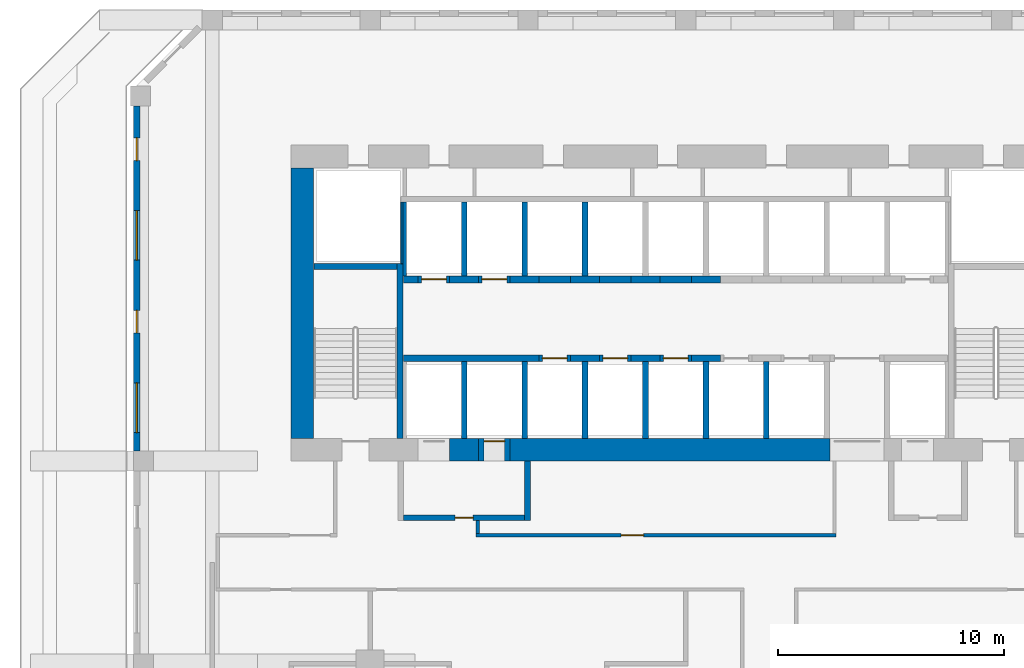
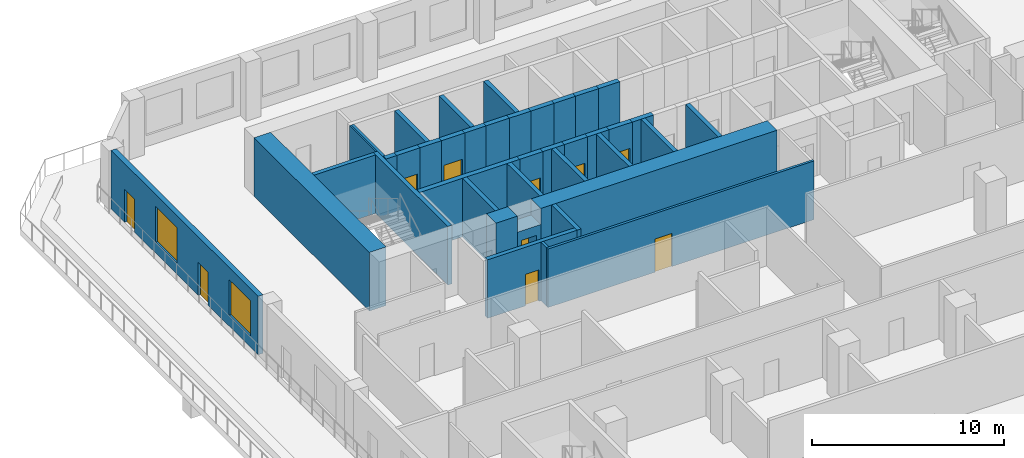
# One storey, part 14 of 20: 40 walls, 10 doors, 2 windows, 12 openings.
"""IFC4 building model written with IfcOpenShell, lengths in metres."""

import ifcopenshell
import ifcopenshell.guid

model = None  # the IFC model being written
_history = None  # IfcOwnerHistory: only IFC2X3 demands one
_inside = {}  # id of a spatial element -> (the spatial element, [elements in it])
_under = {}  # id of a project, library or spatial element -> (it, [spatial elements below it])
_declared = {}  # id of a project -> (the project, [libraries it declares])
_typed = {}  # id of a type object -> (the type object, [elements of that type])
_made_of = {}  # id of a material, layer set ... -> (it, [elements and type objects made of it])


def new_model(schema):
    """Start an empty IFC model of exactly this schema.

    Asked for "IFC4X3", IfcOpenShell would pick the latest addendum, in which some entities
    have other attributes; the version numbers below select the first issue.
    IFC2X3 requires an IfcOwnerHistory on every rooted entity: one is made here for all.
    """
    global model, _history
    if schema == "IFC4X3":
        model = ifcopenshell.file(schema_version=(4, 3, 0, 0))
    else:
        model = ifcopenshell.file(schema=schema)
    _inside.clear()
    _under.clear()
    _declared.clear()
    _typed.clear()
    _made_of.clear()
    _history = None
    if model.schema == "IFC2X3":
        org = make("IfcOrganization", Name="unknown")
        user = make(
            "IfcPersonAndOrganization",
            ThePerson=make("IfcPerson", FamilyName="unknown"),
            TheOrganization=org,
        )
        app = make(
            "IfcApplication",
            ApplicationDeveloper=org,
            Version="unknown",
            ApplicationFullName="unknown",
            ApplicationIdentifier="unknown",
        )
        _history = make(
            "IfcOwnerHistory",
            OwningUser=user,
            OwningApplication=app,
            ChangeAction="ADDED",
            CreationDate=0,
        )
    return model


def make(cls, **values):
    """One entity of the class cls with the attributes given. An attribute that is None is left unset."""
    return model.create_entity(
        cls, **{name: value for name, value in values.items() if value is not None}
    )


def rooted(cls, **values):
    """An entity with a GlobalId (a new one), such as an element, a storey or a relation."""
    return make(cls, GlobalId=ifcopenshell.guid.new(), OwnerHistory=_history, **values)


def si_unit(unit_type, name, prefix=None):
    """IfcSIUnit, for example si_unit("LENGTHUNIT", "METRE", prefix="MILLI")."""
    return make("IfcSIUnit", UnitType=unit_type, Prefix=prefix, Name=name)


def assignment(units):
    """IfcUnitAssignment: the units of a project."""
    return None if units is None else make("IfcUnitAssignment", Units=units)


def point(xyz):
    """IfcCartesianPoint."""
    return None if xyz is None else make("IfcCartesianPoint", Coordinates=xyz)


def direction(xyz):
    """IfcDirection."""
    return None if xyz is None else make("IfcDirection", DirectionRatios=xyz)


def frame(location, z_axis=None, x_axis=None):
    """IfcAxis2Placement3D, a coordinate frame: its origin and axes. An axis left out is left unset."""
    return make(
        "IfcAxis2Placement3D",
        Location=point(location),
        Axis=direction(z_axis),
        RefDirection=direction(x_axis),
    )


def frame_2d(location, x_axis=None):
    """IfcAxis2Placement2D, a coordinate frame in the plane: its origin and x axis."""
    return make(
        "IfcAxis2Placement2D", Location=point(location), RefDirection=direction(x_axis)
    )


def origin():
    """The frame at (0, 0, 0) with its axes left unset."""
    return frame((0.0, 0.0, 0.0))


def place(relative_to, where):
    """IfcLocalPlacement: puts the frame where relative to a parent placement (None: the world)."""
    return make(
        "IfcLocalPlacement", PlacementRelTo=relative_to, RelativePlacement=where
    )


def context(
    kind, dimensions, precision=None, world=None, true_north=None, identifier=None
):
    """IfcGeometricRepresentationContext, for example the 3D "Model" context."""
    return make(
        "IfcGeometricRepresentationContext",
        ContextIdentifier=identifier,
        ContextType=kind,
        CoordinateSpaceDimension=dimensions,
        Precision=precision,
        WorldCoordinateSystem=world,
        TrueNorth=true_north,
    )


def subcontext(parent, identifier, kind, view, scale=None):
    """IfcGeometricRepresentationSubContext, for example "Body" below "Model"."""
    return make(
        "IfcGeometricRepresentationSubContext",
        ContextIdentifier=identifier,
        ContextType=kind,
        ParentContext=parent,
        TargetScale=scale,
        TargetView=view,
    )


def project(units=None, contexts=None):
    """IfcProject with its units and contexts."""
    return rooted(
        "IfcProject",
        Name="project",
        RepresentationContexts=contexts,
        UnitsInContext=assignment(units),
    )


def spatial(cls, under=None, at=None, **own):
    """A site, building, storey or space (cls), placed at a placement, below another one or the project."""
    s = rooted(cls, ObjectPlacement=at, **own)
    if under is not None:
        _under.setdefault(under.id(), (under, []))[1].append(s)
    return s


def profile(cls, at=None, kind="AREA", **sizes):
    """A parametric profile (cls). Its sizes go by their IFC names, for example OverallWidth=200.0."""
    return make(cls, ProfileType=kind, Position=at, **sizes)


def rectangle(**sizes):
    """IfcRectangleProfileDef."""
    return profile("IfcRectangleProfileDef", **sizes)


def extrude(swept, where, along, depth):
    """IfcExtrudedAreaSolid: the profile swept, set in the frame where, extruded along a direction by depth."""
    return make(
        "IfcExtrudedAreaSolid",
        SweptArea=swept,
        Position=where,
        ExtrudedDirection=direction(along),
        Depth=depth,
    )


def shape(context_of_items, identifier, shape_type, items):
    """IfcShapeRepresentation: the items that make up one representation, for example the "Body"."""
    return make(
        "IfcShapeRepresentation",
        ContextOfItems=context_of_items,
        RepresentationIdentifier=identifier,
        RepresentationType=shape_type,
        Items=items,
    )


def source(mapping_origin, context_of_items, identifier, shape_type, items):
    """IfcRepresentationMap: a shape defined once, which mapped items show again and again."""
    return make(
        "IfcRepresentationMap",
        MappingOrigin=mapping_origin,
        MappedRepresentation=shape(context_of_items, identifier, shape_type, items),
    )


def transform(
    local_origin,
    x_axis=None,
    y_axis=None,
    z_axis=None,
    scale=None,
    scale2=None,
    scale3=None,
    uniform=True,
):
    """IfcCartesianTransformationOperator3D, or its non-uniform kind. x_axis, y_axis, z_axis: its Axis1, 2, 3."""
    if uniform:
        return make(
            "IfcCartesianTransformationOperator3D",
            Axis1=direction(x_axis),
            Axis2=direction(y_axis),
            LocalOrigin=point(local_origin),
            Scale=scale,
            Axis3=direction(z_axis),
        )
    return make(
        "IfcCartesianTransformationOperator3DnonUniform",
        Axis1=direction(x_axis),
        Axis2=direction(y_axis),
        LocalOrigin=point(local_origin),
        Scale=scale,
        Axis3=direction(z_axis),
        Scale2=scale2,
        Scale3=scale3,
    )


def mapped(mapping_source, mapping_target):
    """IfcMappedItem: shows the shape of a source again, moved by a transform."""
    return make(
        "IfcMappedItem", MappingSource=mapping_source, MappingTarget=mapping_target
    )


def material(Name=None, Category=None):
    """IfcMaterial."""
    return make("IfcMaterial", Name=Name, Category=Category)


def layer(
    of_material, thickness, ventilated=None, Name=None, Category=None, Priority=None
):
    """IfcMaterialLayer: one layer of a wall or slab, of a material (None: an air gap)."""
    return make(
        "IfcMaterialLayer",
        Material=of_material,
        LayerThickness=thickness,
        IsVentilated=ventilated,
        Name=Name,
        Category=Category,
        Priority=Priority,
    )


def layer_set(layers, Name=None):
    """IfcMaterialLayerSet."""
    return make("IfcMaterialLayerSet", MaterialLayers=layers, LayerSetName=Name)


def made_of(thing, what):
    """Note that an element or type object is made of a material, layer set ...; save() writes the relation."""
    if what is not None:
        _made_of.setdefault(what.id(), (what, []))[1].append(thing)
    return thing


def type_object(cls, material=None, **own):
    """A type object (cls), such as IfcWallType, which elements share."""
    return made_of(rooted(cls, **own), material)


def element(
    cls,
    number,
    at=None,
    inside=None,
    cuts=None,
    type_object=None,
    material=None,
    context=None,
    identifier="Body",
    shape_type=None,
    held_by="IfcProductDefinitionShape",
    body=None,
    shapes=None,
    **own,
):
    """One element of the class cls, such as IfcWall. Its Tag is "e" and its number.

    at: its placement. inside: the storey or other place that contains it. cuts: it is an
    opening in that element (IfcRelVoidsElement). A single representation is given by context,
    identifier, shape_type and body (its items); several are given by shapes. held_by: the class
    of the entity that holds the representations. save() writes the other relations.
    """
    e = rooted(cls, Tag="e%d" % number, ObjectPlacement=at, **own)
    if body is not None:
        shapes = [shape(context, identifier, shape_type, body)]
    if shapes is not None:
        e.Representation = make(held_by, Representations=shapes)
    if inside is not None:
        _inside.setdefault(inside.id(), (inside, []))[1].append(e)
    if cuts is not None:
        rooted(
            "IfcRelVoidsElement", RelatingBuildingElement=cuts, RelatedOpeningElement=e
        )
    if type_object is not None:
        _typed.setdefault(type_object.id(), (type_object, []))[1].append(e)
    return made_of(e, material)


def fill(opening, filler):
    """IfcRelFillsElement: the door or window that sits in an opening."""
    return rooted(
        "IfcRelFillsElement",
        RelatingOpeningElement=opening,
        RelatedBuildingElement=filler,
    )


def aggregate(whole, parts):
    """IfcRelAggregates: a whole, such as a stair, and the parts it consists of."""
    return rooted("IfcRelAggregates", RelatingObject=whole, RelatedObjects=parts)


def save(model, path):
    """Write the relations noted so far, then the file.

    IfcRelAggregates (storeys below a building ...), IfcRelContainedInSpatialStructure (elements
    in a storey), IfcRelDefinesByType, IfcRelAssociatesMaterial and IfcRelDeclares: one each for
    every whole, place, type object, material and project.
    """
    for whole, parts in _under.values():
        aggregate(whole, parts)
    for where, things in _inside.values():
        rooted(
            "IfcRelContainedInSpatialStructure",
            RelatedElements=things,
            RelatingStructure=where,
        )
    for kind, things in _typed.values():
        rooted("IfcRelDefinesByType", RelatedObjects=things, RelatingType=kind)
    for what, things in _made_of.values():
        rooted("IfcRelAssociatesMaterial", RelatedObjects=things, RelatingMaterial=what)
    for by, libraries in _declared.values():
        rooted("IfcRelDeclares", RelatingContext=by, RelatedDefinitions=libraries)
    model.write(path)


model = new_model("IFC4")

# Units and contexts
model_context = context("Model", 3, precision=1e-05, world=origin(), true_north=direction((0.0, 1.0)))
body_context = subcontext(model_context, "Body", "Model", "MODEL_VIEW")
ifc_project = project(units=[si_unit("LENGTHUNIT", "METRE"), si_unit("AREAUNIT", "SQUARE_METRE"), si_unit("VOLUMEUNIT", "CUBIC_METRE"), si_unit("PLANEANGLEUNIT", "RADIAN"), si_unit("MASSUNIT", "GRAM", prefix="KILO")], contexts=[model_context])

# Site, building, storey
site_placement = place(None, origin())
site = spatial("IfcSite", under=ifc_project, at=site_placement, CompositionType="ELEMENT")
building_placement = place(site_placement, origin())
building = spatial("IfcBuilding", under=site, at=building_placement, Name="Kilnfold Tower and Market Hall", CompositionType="ELEMENT")
storey_placement = place(building_placement, frame((0.0, 0.0, 63.199951171875)))
storey = spatial("IfcBuildingStorey", under=building, at=storey_placement, Name="L14", CompositionType="ELEMENT", Elevation=63.199951171875)

# Wall
ifc_material_1 = material(Name="Gypsum board on steel studs", Category="steel")
ifc_layer_1 = layer(ifc_material_1, 0.14990234375)
ifc_layer_set_1 = layer_set([ifc_layer_1], Name="Gypsum board on steel studs")
wall_type_1 = type_object("IfcWallType", Name="WALL CORRIDOR 150", PredefinedType="PARTITIONING", material=ifc_layer_set_1)
wall_1_placement = place(storey_placement, frame((-7.72998046875, 4.77490234375, 0.0), z_axis=(0.0, 0.0, 1.0), x_axis=(0.0, 1.0, 0.0)))
element("IfcWall", 1, at=wall_1_placement, inside=storey, type_object=wall_type_1, Name="Partition LY12.14", PredefinedType="PARTITIONING", context=body_context, shape_type="SweptSolid", body=[
    extrude(rectangle(XDim=0.5751953125, YDim=0.14990234375, at=frame_2d((0.28759765625, 0.0))), origin(), (0.0, 0.0, 1.0), 3.719970703125),
])

# Wall, opening, door
wall_2_placement = place(storey_placement, frame((-7.804931640625, 4.699951171875, 0.0), z_axis=(0.0, 0.0, 1.0), x_axis=(1.0, 0.0, 0.0)))
wall_2 = element("IfcWall", 2, at=wall_2_placement, inside=storey, type_object=wall_type_1, Name="Partition LY12.15", PredefinedType="PARTITIONING", context=body_context, shape_type="SweptSolid", body=[
    extrude(rectangle(XDim=15.969970703125, YDim=0.14990234375, at=frame_2d((7.98486328125, 0.0))), origin(), (0.0, 0.0, 1.0), 3.719970703125),
])
opening_1_placement = place(wall_2_placement, frame((6.429931640625, 0.0, 0.0)))
opening_1 = element("IfcOpeningElement", 3, at=opening_1_placement, cuts=wall_2, Name="Opening D1", PredefinedType="OPENING", context=body_context, shape_type="SweptSolid", body=[
    extrude(rectangle(XDim=1.0, YDim=2.10009765625, at=frame_2d((0.5, 1.050048828125))), frame((0.0, 0.0849609375, 0.0), z_axis=(0.0, -1.0, 0.0), x_axis=(1.0, 0.0, 0.0)), (0.0, 0.0, 1.0), 0.169921875),
])
ifc_material_2 = material(Name="Timber veneer door leaf in steel frame", Category="steel")
door_type_1 = type_object("IfcDoorType", Name="DOOR ENTRY 1000 X2100", OperationType="NOTDEFINED", PredefinedType="DOOR", material=ifc_material_2)
door_1_placement = place(opening_1_placement, origin())
door_1 = element("IfcDoor", 4, at=door_1_placement, inside=storey, type_object=door_type_1, Name="Door D1", OperationType="SINGLE_SWING_RIGHT", OverallHeight=2.10009765625, OverallWidth=1.0, PredefinedType="DOOR", context=body_context, shape_type="SweptSolid", body=[
    extrude(rectangle(XDim=1.0, YDim=2.10009765625, at=frame_2d((0.5, 1.050048828125))), frame((0.0, 0.02490234375, 0.0), z_axis=(0.0, -1.0, 0.0), x_axis=(1.0, 0.0, 0.0)), (0.0, 0.0, 1.0), 0.050048828125),
])
fill(opening_1, door_1)

# Walls
ifc_material_3 = material(Name="Concrete C80", Category="concrete")
ifc_layer_2 = layer(ifc_material_3, 1.0)
ifc_layer_set_2 = layer_set([ifc_layer_2], Name="Concrete C80")
wall_type_2 = type_object("IfcWallType", Name="CORE WALL 1000 C80", PredefinedType="SHEAR", material=ifc_layer_set_2)
shared_shape_1 = source(origin(), body_context, "Body", "SweptSolid", [
    extrude(rectangle(XDim=1.280029296875, YDim=1.0, at=frame_2d((0.64013671875, 0.0))), origin(), (0.0, 0.0, 1.0), 3.719970703125),
])
wall_3_placement = place(storey_placement, frame((-8.969970703125, 8.5, 0.0), z_axis=(0.0, 0.0, 1.0), x_axis=(1.0, 0.0, 0.0)))
element("IfcWall", 5, at=wall_3_placement, inside=storey, type_object=wall_type_2, Name="Core outer wall south", PredefinedType="SHEAR", context=body_context, shape_type="MappedRepresentation", body=[
    mapped(shared_shape_1, transform((0.0, 0.0, 0.0))),
])
shared_shape_2 = source(origin(), body_context, "Body", "SweptSolid", [
    extrude(rectangle(XDim=14.179931640625, YDim=1.0, at=frame_2d((7.08984375, 0.0))), origin(), (0.0, 0.0, 1.0), 3.719970703125),
])
wall_4_placement = place(storey_placement, frame((-6.2900390625, 8.5, 0.0), z_axis=(0.0, 0.0, 1.0), x_axis=(1.0, 0.0, 0.0)))
element("IfcWall", 6, at=wall_4_placement, inside=storey, type_object=wall_type_2, Name="Core outer wall south", PredefinedType="SHEAR", context=body_context, shape_type="MappedRepresentation", body=[
    mapped(shared_shape_2, transform((0.0, 0.0, 0.0))),
])
shared_shape_3 = source(origin(), body_context, "Body", "SweptSolid", [
    extrude(rectangle(XDim=12.0, YDim=1.0, at=frame_2d((6.0, 0.0))), origin(), (0.0, 0.0, 1.0), 3.719970703125),
])
wall_5_placement = place(storey_placement, frame((-15.5, 9.0, 0.0), z_axis=(0.0, 0.0, 1.0), x_axis=(0.0, 1.0, 0.0)))
element("IfcWall", 7, at=wall_5_placement, inside=storey, type_object=wall_type_2, Name="Core outer wall west", PredefinedType="SHEAR", context=body_context, shape_type="MappedRepresentation", body=[
    mapped(shared_shape_3, transform((0.0, 0.0, 0.0))),
])
ifc_material_4 = material(Name="Concrete C80", Category="concrete")
ifc_layer_3 = layer(ifc_material_4, 0.25)
ifc_layer_set_3 = layer_set([ifc_layer_3], Name="Concrete C80")
wall_type_3 = type_object("IfcWallType", Name="CORE WALL 250 C80", PredefinedType="SHEAR", material=ifc_layer_set_3)
shared_shape_4 = source(origin(), body_context, "Body", "SweptSolid", [
    extrude(rectangle(XDim=7.75, YDim=0.25, at=frame_2d((3.875, 0.0))), origin(), (0.0, 0.0, 1.0), 3.719970703125),
])
wall_6_placement = place(storey_placement, frame((-11.175048828125, 9.0, 0.0), z_axis=(0.0, 0.0, 1.0), x_axis=(0.0, 1.0, 0.0)))
element("IfcWall", 8, at=wall_6_placement, inside=storey, type_object=wall_type_3, Name="Stair enclosure ST1", PredefinedType="SHEAR", context=body_context, shape_type="MappedRepresentation", body=[
    mapped(shared_shape_4, transform((0.0, 0.0, 0.0))),
])
shared_shape_5 = source(origin(), body_context, "Body", "SweptSolid", [
    extrude(rectangle(XDim=3.699951171875, YDim=0.25, at=frame_2d((1.85009765625, 0.0))), origin(), (0.0, 0.0, 1.0), 3.719970703125),
])
wall_7_placement = place(storey_placement, frame((-15.0, 16.625, 0.0), z_axis=(0.0, 0.0, 1.0), x_axis=(1.0, 0.0, 0.0)))
element("IfcWall", 9, at=wall_7_placement, inside=storey, type_object=wall_type_3, Name="Stair enclosure ST1", PredefinedType="SHEAR", context=body_context, shape_type="MappedRepresentation", body=[
    mapped(shared_shape_5, transform((0.0, 0.0, 0.0))),
])
ifc_material_5 = material(Name="Concrete C80", Category="concrete")
ifc_layer_4 = layer(ifc_material_5, 0.300048828125)
ifc_layer_set_4 = layer_set([ifc_layer_4], Name="Concrete C80")
wall_type_4 = type_object("IfcWallType", Name="CORE WALL 300 C80", PredefinedType="SHEAR", material=ifc_layer_set_4)
shared_shape_6 = source(origin(), body_context, "Body", "SweptSolid", [
    extrude(rectangle(XDim=6.0, YDim=0.300048828125, at=frame_2d((3.0, 0.0))), origin(), (0.0, 0.0, 1.0), 3.719970703125),
])
wall_8_placement = place(storey_placement, frame((-11.010009765625, 12.550048828125, 0.0), z_axis=(0.0, 0.0, 1.0), x_axis=(1.0, 0.0, 0.0)))
element("IfcWall", 10, at=wall_8_placement, inside=storey, type_object=wall_type_4, Name="Core spine wall", PredefinedType="SHEAR", context=body_context, shape_type="MappedRepresentation", body=[
    mapped(shared_shape_6, transform((0.0, 0.0, 0.0))),
])
shared_shape_7 = source(origin(), body_context, "Body", "SweptSolid", [
    extrude(rectangle(XDim=1.280029296875, YDim=0.300048828125, at=frame_2d((0.64013671875, 0.0))), origin(), (0.0, 0.0, 1.0), 3.719970703125),
])
for number, where, z_axis, x_axis, name in (
    (11, (-3.610107421875, 12.550048828125, 0.0), (0.0, 0.0, 1.0), (1.0, 0.0, 0.0), "Core spine wall"),
    (12, (-0.929931640625, 12.550048828125, 0.0), (0.0, 0.0, 1.0), (1.0, 0.0, 0.0), "Core spine wall"),
    (13, (1.75, 12.550048828125, 0.0), (0.0, 0.0, 1.0), (1.0, 0.0, 0.0), "Core spine wall"),
    (14, (-8.969970703125, 16.050048828125, 0.0), (0.0, 0.0, 1.0), (1.0, 0.0, 0.0), "Core spine wall"),
    (15, (-6.2900390625, 16.050048828125, 0.0), (0.0, 0.0, 1.0), (1.0, 0.0, 0.0), "Core spine wall"),
    (16, (-3.610107421875, 16.050048828125, 0.0), (0.0, 0.0, 1.0), (1.0, 0.0, 0.0), "Core spine wall"),
    (17, (-0.929931640625, 16.050048828125, 0.0), (0.0, 0.0, 1.0), (1.0, 0.0, 0.0), "Core spine wall"),
    (18, (1.75, 16.050048828125, 0.0), (0.0, 0.0, 1.0), (1.0, 0.0, 0.0), "Core spine wall"),
):
    element("IfcWall", number, at=place(storey_placement, frame(where, z_axis=z_axis, x_axis=x_axis)), inside=storey, type_object=wall_type_4, Name=name, PredefinedType="SHEAR", context=body_context, shape_type="MappedRepresentation", body=[
        mapped(shared_shape_7, transform((0.0, 0.0, 0.0))),
    ])
shared_shape_8 = source(origin(), body_context, "Body", "SweptSolid", [
    extrude(rectangle(XDim=0.639892578125, YDim=0.300048828125, at=frame_2d((0.31982421875, 0.0))), origin(), (0.0, 0.0, 1.0), 3.719970703125),
])
wall_9_placement = place(storey_placement, frame((-11.010009765625, 16.050048828125, 0.0), z_axis=(0.0, 0.0, 1.0), x_axis=(1.0, 0.0, 0.0)))
element("IfcWall", 19, at=wall_9_placement, inside=storey, type_object=wall_type_4, Name="Core spine wall", PredefinedType="SHEAR", context=body_context, shape_type="MappedRepresentation", body=[
    mapped(shared_shape_8, transform((0.0, 0.0, 0.0))),
])

# Wall, openings, doors, windows
ifc_material_6 = material(Name="Precast concrete C50/60", Category="concrete")
ifc_layer_5 = layer(ifc_material_6, 0.300048828125)
ifc_layer_set_5 = layer_set([ifc_layer_5], Name="Precast concrete C50/60")
wall_type_5 = type_object("IfcWallType", Name="PRECAST WALL 300", PredefinedType="SOLIDWALL", material=ifc_layer_set_5)
shared_shape_9 = source(origin(), body_context, "Body", "SweptSolid", [
    extrude(rectangle(XDim=15.28173828125, YDim=0.300048828125, at=frame_2d((7.640869140625, 0.0))), origin(), (0.0, 0.0, 1.0), 3.719970703125),
])
wall_10_placement = place(storey_placement, frame((-22.85009765625, 23.731689453125, 0.0), z_axis=(0.0, 0.0, 1.0), x_axis=(0.0, -1.0, 0.0)))
wall_10 = element("IfcWall", 20, at=wall_10_placement, inside=storey, type_object=wall_type_5, Name="External wall L14 W", PredefinedType="SOLIDWALL", context=body_context, shape_type="MappedRepresentation", body=[
    mapped(shared_shape_9, transform((0.0, 0.0, 0.0))),
])
opening_2_placement = place(wall_10_placement, frame((1.410400390625, 0.0, 0.0)))
opening_2 = element("IfcOpeningElement", 21, at=opening_2_placement, cuts=wall_10, Name="Opening BD1", PredefinedType="OPENING", context=body_context, shape_type="SweptSolid", body=[
    extrude(rectangle(XDim=1.0, YDim=2.10009765625, at=frame_2d((0.5, 1.050048828125))), frame((0.0, 0.16015625, 0.0), z_axis=(0.0, -1.0, 0.0), x_axis=(1.0, 0.0, 0.0)), (0.0, 0.0, 1.0), 0.320068359375),
])
opening_3_placement = place(wall_10_placement, frame((4.630615234375, 0.0, 0.699951171875)))
opening_3 = element("IfcOpeningElement", 22, at=opening_3_placement, cuts=wall_10, Name="Opening W1", PredefinedType="OPENING", context=body_context, shape_type="SweptSolid", body=[
    extrude(rectangle(XDim=2.199951171875, YDim=2.25, at=frame_2d((1.10009765625, 1.125))), frame((0.0, 0.16015625, 0.0), z_axis=(0.0, -1.0, 0.0), x_axis=(1.0, 0.0, 0.0)), (0.0, 0.0, 1.0), 0.320068359375),
])
opening_4_placement = place(wall_10_placement, frame((9.051025390625, 0.0, 0.0)))
opening_4 = element("IfcOpeningElement", 23, at=opening_4_placement, cuts=wall_10, Name="Opening BD1", PredefinedType="OPENING", context=body_context, shape_type="SweptSolid", body=[
    extrude(rectangle(XDim=1.0, YDim=2.10009765625, at=frame_2d((0.5, 1.050048828125))), frame((0.0, 0.16015625, 0.0), z_axis=(0.0, -1.0, 0.0), x_axis=(1.0, 0.0, 0.0)), (0.0, 0.0, 1.0), 0.320068359375),
])
opening_5_placement = place(wall_10_placement, frame((12.271484375, 0.0, 0.699951171875)))
opening_5 = element("IfcOpeningElement", 24, at=opening_5_placement, cuts=wall_10, Name="Opening W1", PredefinedType="OPENING", context=body_context, shape_type="SweptSolid", body=[
    extrude(rectangle(XDim=2.199951171875, YDim=2.25, at=frame_2d((1.10009765625, 1.125))), frame((0.0, 0.16015625, 0.0), z_axis=(0.0, -1.0, 0.0), x_axis=(1.0, 0.0, 0.0)), (0.0, 0.0, 1.0), 0.320068359375),
])
ifc_material_7 = material(Name="Aluminium frame and double glazing", Category="aluminium")
door_type_2 = type_object("IfcDoorType", Name="BALCONY DOOR 1000X2100", OperationType="NOTDEFINED", PredefinedType="DOOR", material=ifc_material_7)
door_2_placement = place(opening_2_placement, origin())
door_2 = element("IfcDoor", 25, at=door_2_placement, inside=storey, type_object=door_type_2, Name="Balcony door BD1 L14 W-1", OperationType="SINGLE_SWING_LEFT", OverallHeight=2.10009765625, OverallWidth=1.0, PredefinedType="DOOR", context=body_context, shape_type="SweptSolid", body=[
    extrude(rectangle(XDim=1.0, YDim=2.10009765625, at=frame_2d((0.5, 1.050048828125))), frame((0.0, 0.02490234375, 0.0), z_axis=(0.0, -1.0, 0.0), x_axis=(1.0, 0.0, 0.0)), (0.0, 0.0, 1.0), 0.050048828125),
])
fill(opening_2, door_2)
door_3_placement = place(opening_4_placement, origin())
door_3 = element("IfcDoor", 26, at=door_3_placement, inside=storey, type_object=door_type_2, Name="Balcony door BD1 L14 W-3", OperationType="SINGLE_SWING_LEFT", OverallHeight=2.10009765625, OverallWidth=1.0, PredefinedType="DOOR", context=body_context, shape_type="SweptSolid", body=[
    extrude(rectangle(XDim=1.0, YDim=2.10009765625, at=frame_2d((0.5, 1.050048828125))), frame((0.0, 0.02490234375, 0.0), z_axis=(0.0, -1.0, 0.0), x_axis=(1.0, 0.0, 0.0)), (0.0, 0.0, 1.0), 0.050048828125),
])
fill(opening_4, door_3)
ifc_material_8 = material(Name="Aluminium frame and double glazing", Category="aluminium")
window_type = type_object("IfcWindowType", Name="WINDOW W1 2200X2250", PartitioningType="SINGLE_PANEL", PredefinedType="WINDOW", material=ifc_material_8)
window_1_placement = place(opening_3_placement, origin())
window_1 = element("IfcWindow", 27, at=window_1_placement, inside=storey, type_object=window_type, Name="Window W1 L14 W-2", OverallHeight=2.25, OverallWidth=2.199951171875, PartitioningType="SINGLE_PANEL", PredefinedType="WINDOW", context=body_context, shape_type="SweptSolid", body=[
    extrude(rectangle(XDim=2.199951171875, YDim=2.25, at=frame_2d((1.10009765625, 1.125))), frame((0.0, 0.030029296875, 0.0), z_axis=(0.0, -1.0, 0.0), x_axis=(1.0, 0.0, 0.0)), (0.0, 0.0, 1.0), 0.06005859375),
])
fill(opening_3, window_1)
window_2_placement = place(opening_5_placement, origin())
window_2 = element("IfcWindow", 28, at=window_2_placement, inside=storey, type_object=window_type, Name="Window W1 L14 W-4", OverallHeight=2.25, OverallWidth=2.199951171875, PartitioningType="SINGLE_PANEL", PredefinedType="WINDOW", context=body_context, shape_type="SweptSolid", body=[
    extrude(rectangle(XDim=2.199951171875, YDim=2.25, at=frame_2d((1.10009765625, 1.125))), frame((0.0, 0.030029296875, 0.0), z_axis=(0.0, -1.0, 0.0), x_axis=(1.0, 0.0, 0.0)), (0.0, 0.0, 1.0), 0.06005859375),
])
fill(opening_5, window_2)

# Wall, opening, door
ifc_material_9 = material(Name="Gypsum shaft wall system")
ifc_layer_6 = layer(ifc_material_9, 1.0)
ifc_layer_set_6 = layer_set([ifc_layer_6], Name="Gypsum shaft wall system")
wall_type_6 = type_object("IfcWallType", Name="LOBBY WALL 1000", PredefinedType="PARTITIONING", material=ifc_layer_set_6)
shared_shape_10 = source(origin(), body_context, "Body", "SweptSolid", [
    extrude(rectangle(XDim=1.39990234375, YDim=1.0, at=frame_2d((0.699951171875, 0.0))), origin(), (0.0, 0.0, 1.0), 2.699951171875),
])
wall_11_placement = place(storey_placement, frame((-7.68994140625, 8.5, 0.0), z_axis=(0.0, 0.0, 1.0), x_axis=(1.0, 0.0, 0.0)))
wall_11 = element("IfcWall", 29, at=wall_11_placement, inside=storey, type_object=wall_type_6, Name="Core wall infill", PredefinedType="PARTITIONING", context=body_context, shape_type="MappedRepresentation", body=[
    mapped(shared_shape_10, transform((0.0, 0.0, 0.0))),
])
opening_6_placement = place(wall_11_placement, frame((0.25, 0.0, 0.0)))
opening_6 = element("IfcOpeningElement", 30, at=opening_6_placement, cuts=wall_11, Name="Opening LD1", PredefinedType="OPENING", context=body_context, shape_type="SweptSolid", body=[
    extrude(rectangle(XDim=0.89990234375, YDim=2.10009765625, at=frame_2d((0.449951171875, 1.050048828125))), frame((0.0, 0.510009765625, 0.0), z_axis=(0.0, -1.0, 0.0), x_axis=(1.0, 0.0, 0.0)), (0.0, 0.0, 1.0), 1.02001953125),
])
ifc_material_10 = material(Name="Steel door set with fire-resisting leaf", Category="steel")
door_type_3 = type_object("IfcDoorType", Name="FIREFIGHTING LANDING DOOR 900X2100", OperationType="NOTDEFINED", PredefinedType="DOOR", material=ifc_material_10)
door_4_placement = place(opening_6_placement, origin())
door_4 = element("IfcDoor", 31, at=door_4_placement, inside=storey, type_object=door_type_3, Name="Landing door FF2", OperationType="SLIDING_TO_RIGHT", OverallHeight=2.10009765625, OverallWidth=0.89990234375, PredefinedType="DOOR", context=body_context, shape_type="SweptSolid", body=[
    extrude(rectangle(XDim=0.89990234375, YDim=2.10009765625, at=frame_2d((0.449951171875, 1.050048828125))), frame((0.0, 0.40478515625, 0.0), z_axis=(0.0, -1.0, 0.0), x_axis=(1.0, 0.0, 0.0)), (0.0, 0.0, 1.0), 0.050048828125),
])
fill(opening_6, door_4)

ifc_material_11 = material(Name="Gypsum shaft wall system")
ifc_layer_7 = layer(ifc_material_11, 0.300048828125)
ifc_layer_set_7 = layer_set([ifc_layer_7], Name="Gypsum shaft wall system")
wall_type_7 = type_object("IfcWallType", Name="SHAFT WALL 300", PredefinedType="PARTITIONING", material=ifc_layer_set_7)
shared_shape_11 = source(origin(), body_context, "Body", "SweptSolid", [
    extrude(rectangle(XDim=1.39990234375, YDim=0.300048828125, at=frame_2d((0.699951171875, 0.0))), origin(), (0.0, 0.0, 1.0), 3.719970703125),
])
wall_12_placement = place(storey_placement, frame((-5.010009765625, 12.550048828125, 0.0), z_axis=(0.0, 0.0, 1.0), x_axis=(1.0, 0.0, 0.0)))
wall_12 = element("IfcWall", 32, at=wall_12_placement, inside=storey, type_object=wall_type_7, Name="Lift shaft front wall", PredefinedType="PARTITIONING", context=body_context, shape_type="MappedRepresentation", body=[
    mapped(shared_shape_11, transform((0.0, 0.0, 0.0))),
])
opening_7_placement = place(wall_12_placement, frame((0.14990234375, 0.0, 0.0)))
opening_7 = element("IfcOpeningElement", 33, at=opening_7_placement, cuts=wall_12, Name="Opening LD2", PredefinedType="OPENING", context=body_context, shape_type="SweptSolid", body=[
    extrude(rectangle(XDim=1.10009765625, YDim=2.10009765625, at=frame_2d((0.550048828125, 1.050048828125))), frame((0.0, 0.16015625, 0.0), z_axis=(0.0, -1.0, 0.0), x_axis=(1.0, 0.0, 0.0)), (0.0, 0.0, 1.0), 0.320068359375),
])
ifc_material_12 = material(Name="Steel door set with fire-resisting leaf", Category="steel")
door_type_4 = type_object("IfcDoorType", Name="LANDING DOOR 1100X2100", OperationType="NOTDEFINED", PredefinedType="DOOR", material=ifc_material_12)
door_5_placement = place(opening_7_placement, origin())
door_5 = element("IfcDoor", 34, at=door_5_placement, inside=storey, type_object=door_type_4, Name="Landing door LR1", OperationType="DOUBLE_DOOR_SLIDING", OverallHeight=2.10009765625, OverallWidth=1.10009765625, PredefinedType="DOOR", context=body_context, shape_type="SweptSolid", body=[
    extrude(rectangle(XDim=1.10009765625, YDim=2.10009765625, at=frame_2d((0.550048828125, 1.050048828125))), frame((0.0, 0.02490234375, 0.0), z_axis=(0.0, -1.0, 0.0), x_axis=(1.0, 0.0, 0.0)), (0.0, 0.0, 1.0), 0.050048828125),
])
fill(opening_7, door_5)

wall_13_placement = place(storey_placement, frame((0.35009765625, 12.550048828125, 0.0), z_axis=(0.0, 0.0, 1.0), x_axis=(1.0, 0.0, 0.0)))
wall_13 = element("IfcWall", 35, at=wall_13_placement, inside=storey, type_object=wall_type_7, Name="Lift shaft front wall", PredefinedType="PARTITIONING", context=body_context, shape_type="MappedRepresentation", body=[
    mapped(shared_shape_11, transform((0.0, 0.0, 0.0))),
])
opening_8_placement = place(wall_13_placement, frame((0.14990234375, 0.0, 0.0)))
opening_8 = element("IfcOpeningElement", 36, at=opening_8_placement, cuts=wall_13, Name="Opening LD2", PredefinedType="OPENING", context=body_context, shape_type="SweptSolid", body=[
    extrude(rectangle(XDim=1.10009765625, YDim=2.10009765625, at=frame_2d((0.550048828125, 1.050048828125))), frame((0.0, 0.16015625, 0.0), z_axis=(0.0, -1.0, 0.0), x_axis=(1.0, 0.0, 0.0)), (0.0, 0.0, 1.0), 0.320068359375),
])
door_6_placement = place(opening_8_placement, origin())
door_6 = element("IfcDoor", 37, at=door_6_placement, inside=storey, type_object=door_type_4, Name="Landing door LR3", OperationType="DOUBLE_DOOR_SLIDING", OverallHeight=2.10009765625, OverallWidth=1.10009765625, PredefinedType="DOOR", context=body_context, shape_type="SweptSolid", body=[
    extrude(rectangle(XDim=1.10009765625, YDim=2.10009765625, at=frame_2d((0.550048828125, 1.050048828125))), frame((0.0, 0.02490234375, 0.0), z_axis=(0.0, -1.0, 0.0), x_axis=(1.0, 0.0, 0.0)), (0.0, 0.0, 1.0), 0.050048828125),
])
fill(opening_8, door_6)

wall_14_placement = place(storey_placement, frame((-7.68994140625, 16.050048828125, 0.0), z_axis=(0.0, 0.0, 1.0), x_axis=(1.0, 0.0, 0.0)))
wall_14 = element("IfcWall", 38, at=wall_14_placement, inside=storey, type_object=wall_type_7, Name="Lift shaft front wall", PredefinedType="PARTITIONING", context=body_context, shape_type="MappedRepresentation", body=[
    mapped(shared_shape_11, transform((0.0, 0.0, 0.0))),
])
opening_9_placement = place(wall_14_placement, frame((0.14990234375, 0.0, 0.0)))
opening_9 = element("IfcOpeningElement", 39, at=opening_9_placement, cuts=wall_14, Name="Opening LD2", PredefinedType="OPENING", context=body_context, shape_type="SweptSolid", body=[
    extrude(rectangle(XDim=1.10009765625, YDim=2.10009765625, at=frame_2d((0.550048828125, 1.050048828125))), frame((0.0, 0.16015625, 0.0), z_axis=(0.0, -1.0, 0.0), x_axis=(1.0, 0.0, 0.0)), (0.0, 0.0, 1.0), 0.320068359375),
])
door_7_placement = place(opening_9_placement, origin())
door_7 = element("IfcDoor", 40, at=door_7_placement, inside=storey, type_object=door_type_4, Name="Landing door LR8", OperationType="DOUBLE_DOOR_SLIDING", OverallHeight=2.10009765625, OverallWidth=1.10009765625, PredefinedType="DOOR", context=body_context, shape_type="SweptSolid", body=[
    extrude(rectangle(XDim=1.10009765625, YDim=2.10009765625, at=frame_2d((0.550048828125, 1.050048828125))), frame((0.0, 0.02490234375, 0.0), z_axis=(0.0, -1.0, 0.0), x_axis=(1.0, 0.0, 0.0)), (0.0, 0.0, 1.0), 0.050048828125),
])
fill(opening_9, door_7)

# Walls
for number, where, z_axis, x_axis, name in (
    (41, (-5.010009765625, 16.050048828125, 0.0), (0.0, 0.0, 1.0), (1.0, 0.0, 0.0), "Lift shaft front wall"),
    (42, (0.35009765625, 16.050048828125, 0.0), (0.0, 0.0, 1.0), (1.0, 0.0, 0.0), "Lift shaft front wall"),
):
    element("IfcWall", number, at=place(storey_placement, frame(where, z_axis=z_axis, x_axis=x_axis)), inside=storey, type_object=wall_type_7, Name=name, PredefinedType="PARTITIONING", context=body_context, shape_type="MappedRepresentation", body=[
        mapped(shared_shape_11, transform((0.0, 0.0, 0.0))),
    ])

# Wall, opening, door
shared_shape_12 = source(origin(), body_context, "Body", "SweptSolid", [
    extrude(rectangle(XDim=1.400146484375, YDim=0.300048828125, at=frame_2d((0.7001953125, 0.0))), origin(), (0.0, 0.0, 1.0), 3.719970703125),
])
wall_15_placement = place(storey_placement, frame((-2.330078125, 12.550048828125, 0.0), z_axis=(0.0, 0.0, 1.0), x_axis=(1.0, 0.0, 0.0)))
wall_15 = element("IfcWall", 43, at=wall_15_placement, inside=storey, type_object=wall_type_7, Name="Lift shaft front wall", PredefinedType="PARTITIONING", context=body_context, shape_type="MappedRepresentation", body=[
    mapped(shared_shape_12, transform((0.0, 0.0, 0.0))),
])
opening_10_placement = place(wall_15_placement, frame((0.14990234375, 0.0, 0.0)))
opening_10 = element("IfcOpeningElement", 44, at=opening_10_placement, cuts=wall_15, Name="Opening LD2", PredefinedType="OPENING", context=body_context, shape_type="SweptSolid", body=[
    extrude(rectangle(XDim=1.10009765625, YDim=2.10009765625, at=frame_2d((0.550048828125, 1.050048828125))), frame((0.0, 0.16015625, 0.0), z_axis=(0.0, -1.0, 0.0), x_axis=(1.0, 0.0, 0.0)), (0.0, 0.0, 1.0), 0.320068359375),
])
door_8_placement = place(opening_10_placement, origin())
door_8 = element("IfcDoor", 45, at=door_8_placement, inside=storey, type_object=door_type_4, Name="Landing door LR2", OperationType="DOUBLE_DOOR_SLIDING", OverallHeight=2.10009765625, OverallWidth=1.10009765625, PredefinedType="DOOR", context=body_context, shape_type="SweptSolid", body=[
    extrude(rectangle(XDim=1.10009765625, YDim=2.10009765625, at=frame_2d((0.550048828125, 1.050048828125))), frame((0.0, 0.02490234375, 0.0), z_axis=(0.0, -1.0, 0.0), x_axis=(1.0, 0.0, 0.0)), (0.0, 0.0, 1.0), 0.050048828125),
])
fill(opening_10, door_8)

wall_16_placement = place(storey_placement, frame((-10.3701171875, 16.050048828125, 0.0), z_axis=(0.0, 0.0, 1.0), x_axis=(1.0, 0.0, 0.0)))
wall_16 = element("IfcWall", 46, at=wall_16_placement, inside=storey, type_object=wall_type_7, Name="Lift shaft front wall", PredefinedType="PARTITIONING", context=body_context, shape_type="MappedRepresentation", body=[
    mapped(shared_shape_12, transform((0.0, 0.0, 0.0))),
])
opening_11_placement = place(wall_16_placement, frame((0.14990234375, 0.0, 0.0)))
opening_11 = element("IfcOpeningElement", 47, at=opening_11_placement, cuts=wall_16, Name="Opening LD2", PredefinedType="OPENING", context=body_context, shape_type="SweptSolid", body=[
    extrude(rectangle(XDim=1.10009765625, YDim=2.10009765625, at=frame_2d((0.550048828125, 1.050048828125))), frame((0.0, 0.16015625, 0.0), z_axis=(0.0, -1.0, 0.0), x_axis=(1.0, 0.0, 0.0)), (0.0, 0.0, 1.0), 0.320068359375),
])
door_9_placement = place(opening_11_placement, origin())
door_9 = element("IfcDoor", 48, at=door_9_placement, inside=storey, type_object=door_type_4, Name="Landing door LR7", OperationType="DOUBLE_DOOR_SLIDING", OverallHeight=2.10009765625, OverallWidth=1.10009765625, PredefinedType="DOOR", context=body_context, shape_type="SweptSolid", body=[
    extrude(rectangle(XDim=1.10009765625, YDim=2.10009765625, at=frame_2d((0.550048828125, 1.050048828125))), frame((0.0, 0.02490234375, 0.0), z_axis=(0.0, -1.0, 0.0), x_axis=(1.0, 0.0, 0.0)), (0.0, 0.0, 1.0), 0.050048828125),
])
fill(opening_11, door_9)

# Walls
wall_17_placement = place(storey_placement, frame((-2.330078125, 16.050048828125, 0.0), z_axis=(0.0, 0.0, 1.0), x_axis=(1.0, 0.0, 0.0)))
element("IfcWall", 49, at=wall_17_placement, inside=storey, type_object=wall_type_7, Name="Lift shaft front wall", PredefinedType="PARTITIONING", context=body_context, shape_type="MappedRepresentation", body=[
    mapped(shared_shape_12, transform((0.0, 0.0, 0.0))),
])
ifc_material_13 = material(Name="Gypsum shaft wall system")
ifc_layer_8 = layer(ifc_material_13, 0.25)
ifc_layer_set_8 = layer_set([ifc_layer_8], Name="Gypsum shaft wall system")
wall_type_8 = type_object("IfcWallType", Name="LOBBY WALL 250", PredefinedType="PARTITIONING", material=ifc_layer_set_8)
shared_shape_13 = source(origin(), body_context, "Body", "SweptSolid", [
    extrude(rectangle(XDim=2.64990234375, YDim=0.25, at=frame_2d((1.324951171875, 0.0))), origin(), (0.0, 0.0, 1.0), 3.719970703125),
])
wall_18_placement = place(storey_placement, frame((-5.52490234375, 5.35009765625, 0.0), z_axis=(0.0, 0.0, 1.0), x_axis=(0.0, 1.0, 0.0)))
element("IfcWall", 50, at=wall_18_placement, inside=storey, type_object=wall_type_8, Name="Firefighting lobby wall", PredefinedType="PARTITIONING", context=body_context, shape_type="MappedRepresentation", body=[
    mapped(shared_shape_13, transform((0.0, 0.0, 0.0))),
])

# Wall, opening, door
shared_shape_14 = source(origin(), body_context, "Body", "SweptSolid", [
    extrude(rectangle(XDim=5.360107421875, YDim=0.25, at=frame_2d((2.68017578125, 0.0))), origin(), (0.0, 0.0, 1.0), 3.719970703125),
])
wall_19_placement = place(storey_placement, frame((-11.010009765625, 5.47509765625, 0.0), z_axis=(0.0, 0.0, 1.0), x_axis=(1.0, 0.0, 0.0)))
wall_19 = element("IfcWall", 51, at=wall_19_placement, inside=storey, type_object=wall_type_8, Name="Firefighting lobby wall", PredefinedType="PARTITIONING", context=body_context, shape_type="MappedRepresentation", body=[
    mapped(shared_shape_14, transform((0.0, 0.0, 0.0))),
])
opening_12_placement = place(wall_19_placement, frame((2.280029296875, 0.0, 0.0)))
opening_12 = element("IfcOpeningElement", 52, at=opening_12_placement, cuts=wall_19, Name="Opening VD1", PredefinedType="OPENING", context=body_context, shape_type="SweptSolid", body=[
    extrude(rectangle(XDim=0.800048828125, YDim=2.0, at=frame_2d((0.39990234375, 1.0))), frame((0.0, 0.135009765625, 0.0), z_axis=(0.0, -1.0, 0.0), x_axis=(1.0, 0.0, 0.0)), (0.0, 0.0, 1.0), 0.27001953125),
])
ifc_material_14 = material(Name="Steel door set with fire-resisting leaf", Category="steel")
door_type_5 = type_object("IfcDoorType", Name="FIREFIGHTING LOBBY DOOR 800X2000", OperationType="NOTDEFINED", PredefinedType="DOOR", material=ifc_material_14)
door_10_placement = place(opening_12_placement, origin())
door_10 = element("IfcDoor", 53, at=door_10_placement, inside=storey, type_object=door_type_5, Name="Firefighting lobby door", OperationType="SINGLE_SWING_LEFT", OverallHeight=2.0, OverallWidth=0.800048828125, PredefinedType="DOOR", context=body_context, shape_type="SweptSolid", body=[
    extrude(rectangle(XDim=0.800048828125, YDim=2.0, at=frame_2d((0.39990234375, 1.0))), frame((0.0, 0.02490234375, 0.0), z_axis=(0.0, -1.0, 0.0), x_axis=(1.0, 0.0, 0.0)), (0.0, 0.0, 1.0), 0.050048828125),
])
fill(opening_12, door_10)

# Walls
ifc_material_15 = material(Name="Gypsum shaft wall system")
ifc_layer_9 = layer(ifc_material_15, 0.1650390625)
ifc_layer_set_9 = layer_set([ifc_layer_9], Name="Gypsum shaft wall system")
wall_type_9 = type_object("IfcWallType", Name="SHAFT WALL 165", PredefinedType="PARTITIONING", material=ifc_layer_set_9)
shared_shape_15 = source(origin(), body_context, "Body", "SweptSolid", [
    extrude(rectangle(XDim=3.275146484375, YDim=0.1650390625, at=frame_2d((1.6376953125, 0.0))), origin(), (0.0, 0.0, 1.0), 3.719970703125),
])
wall_20_placement = place(storey_placement, frame((-10.967529296875, 16.199951171875, 0.0), z_axis=(0.0, 0.0, 1.0), x_axis=(0.0, 1.0, 0.0)))
element("IfcWall", 54, at=wall_20_placement, inside=storey, type_object=wall_type_9, Name="Lift shaft wall", PredefinedType="PARTITIONING", context=body_context, shape_type="MappedRepresentation", body=[
    mapped(shared_shape_15, transform((0.0, 0.0, 0.0))),
])
ifc_material_16 = material(Name="Gypsum shaft wall system")
ifc_layer_10 = layer(ifc_material_16, 0.25)
ifc_layer_set_10 = layer_set([ifc_layer_10], Name="Gypsum shaft wall system")
wall_type_10 = type_object("IfcWallType", Name="SHAFT WALL 250", PredefinedType="PARTITIONING", material=ifc_layer_set_10)
shared_shape_16 = source(origin(), body_context, "Body", "SweptSolid", [
    extrude(rectangle(XDim=3.275146484375, YDim=0.25, at=frame_2d((1.6376953125, 0.0))), origin(), (0.0, 0.0, 1.0), 3.719970703125),
])
for number, where, z_axis, x_axis, name in (
    (55, (-2.969970703125, 16.199951171875, 0.0), (0.0, 0.0, 1.0), (0.0, 1.0, 0.0), "Lift shaft wall"),
    (56, (-5.64990234375, 16.199951171875, 0.0), (0.0, 0.0, 1.0), (0.0, 1.0, 0.0), "Lift shaft wall"),
    (57, (-8.330078125, 16.199951171875, 0.0), (0.0, 0.0, 1.0), (0.0, 1.0, 0.0), "Lift shaft wall"),
):
    element("IfcWall", number, at=place(storey_placement, frame(where, z_axis=z_axis, x_axis=x_axis)), inside=storey, type_object=wall_type_10, Name=name, PredefinedType="PARTITIONING", context=body_context, shape_type="MappedRepresentation", body=[
        mapped(shared_shape_16, transform((0.0, 0.0, 0.0))),
    ])
ifc_material_17 = material(Name="Gypsum shaft wall system")
ifc_layer_11 = layer(ifc_material_17, 0.0849609375)
ifc_layer_set_11 = layer_set([ifc_layer_11], Name="Gypsum shaft wall system")
wall_type_11 = type_object("IfcWallType", Name="SHAFT WALL 85", PredefinedType="PARTITIONING", material=ifc_layer_set_11)
shared_shape_17 = source(origin(), body_context, "Body", "SweptSolid", [
    extrude(rectangle(XDim=2.72509765625, YDim=0.0849609375, at=frame_2d((1.362548828125, 0.0))), origin(), (0.0, 0.0, 1.0), 3.719970703125),
])
wall_21_placement = place(storey_placement, frame((-11.092529296875, 16.75, 0.0), z_axis=(0.0, 0.0, 1.0), x_axis=(0.0, 1.0, 0.0)))
element("IfcWall", 58, at=wall_21_placement, inside=storey, type_object=wall_type_11, Name="Lift shaft wall", PredefinedType="PARTITIONING", context=body_context, shape_type="MappedRepresentation", body=[
    mapped(shared_shape_17, transform((0.0, 0.0, 0.0))),
])
shared_shape_18 = source(origin(), body_context, "Body", "SweptSolid", [
    extrude(rectangle(XDim=3.39990234375, YDim=0.25, at=frame_2d((1.699951171875, 0.0))), origin(), (0.0, 0.0, 1.0), 3.719970703125),
])
for number, where, z_axis, x_axis, name in (
    (59, (2.389892578125, 9.0, 0.0), (0.0, 0.0, 1.0), (0.0, 1.0, 0.0), "Lift shaft wall"),
    (60, (5.070068359375, 9.0, 0.0), (0.0, 0.0, 1.0), (0.0, 1.0, 0.0), "Lift shaft wall"),
    (61, (-0.2900390625, 9.0, 0.0), (0.0, 0.0, 1.0), (0.0, 1.0, 0.0), "Lift shaft wall"),
    (62, (-2.969970703125, 9.0, 0.0), (0.0, 0.0, 1.0), (0.0, 1.0, 0.0), "Lift shaft wall"),
    (63, (-5.64990234375, 9.0, 0.0), (0.0, 0.0, 1.0), (0.0, 1.0, 0.0), "Lift shaft wall"),
    (64, (-8.330078125, 9.0, 0.0), (0.0, 0.0, 1.0), (0.0, 1.0, 0.0), "Lift shaft wall"),
):
    element("IfcWall", number, at=place(storey_placement, frame(where, z_axis=z_axis, x_axis=x_axis)), inside=storey, type_object=wall_type_10, Name=name, PredefinedType="PARTITIONING", context=body_context, shape_type="MappedRepresentation", body=[
        mapped(shared_shape_18, transform((0.0, 0.0, 0.0))),
    ])

save(model, "model.ifc")
